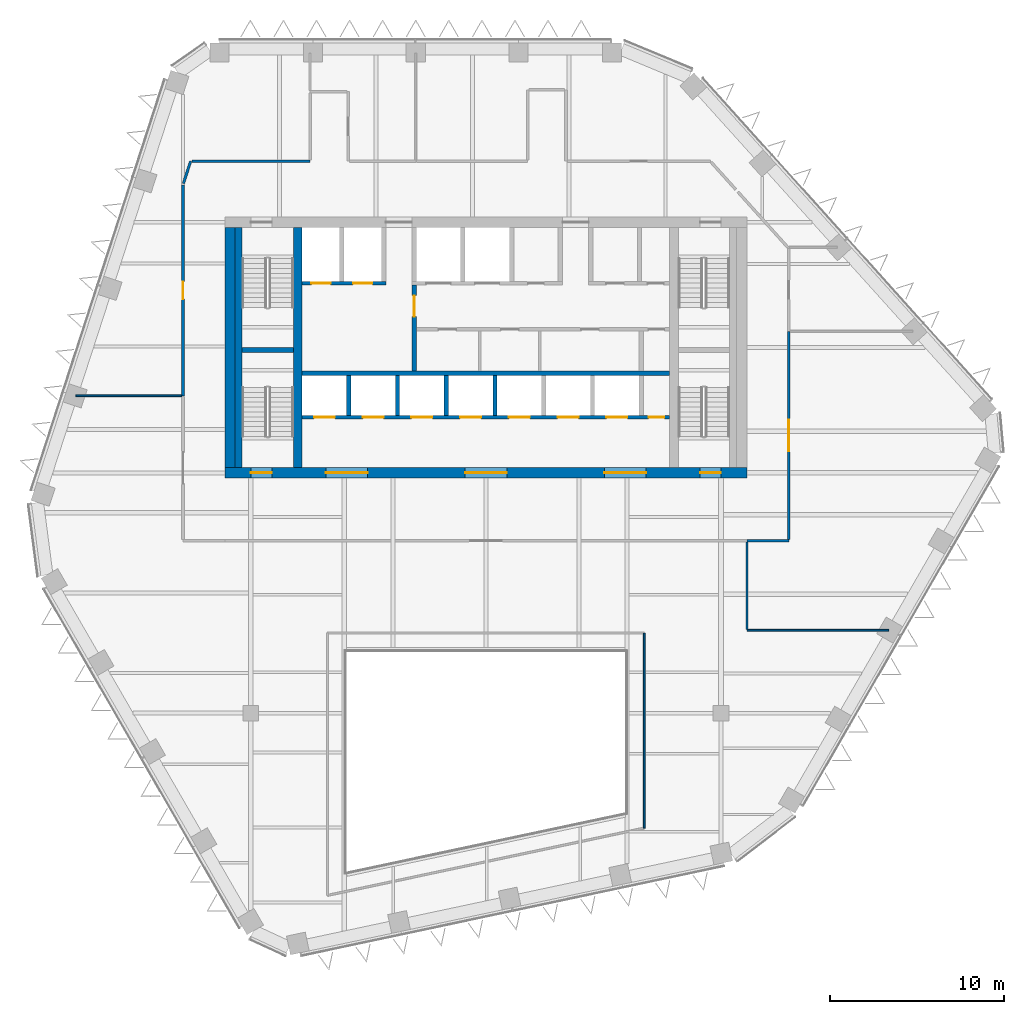
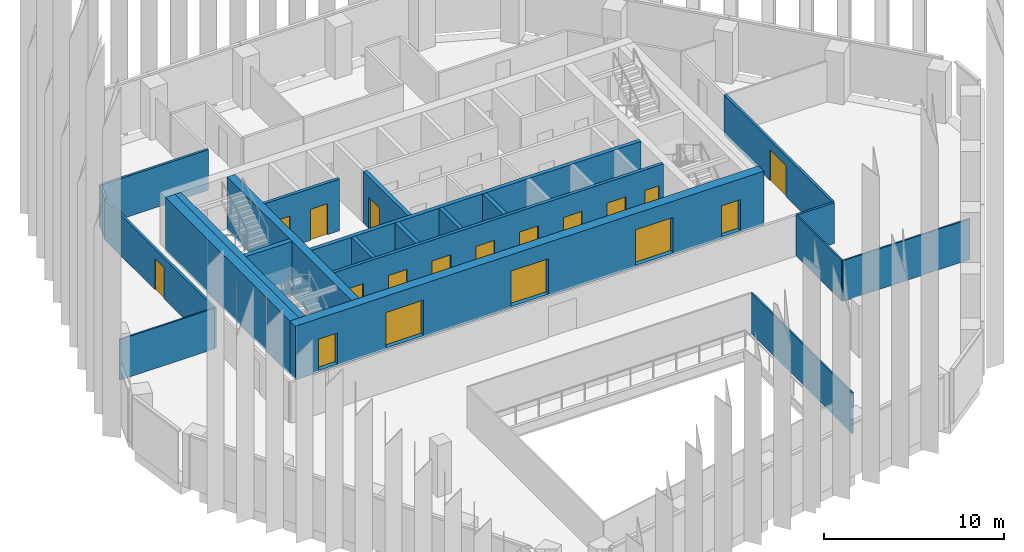
# One storey, part 9 of 18: 22 walls, 18 doors, 18 openings.
"""IFC4 building model written with IfcOpenShell, lengths in metres."""

import ifcopenshell
import ifcopenshell.guid

model = None  # the IFC model being written
_history = None  # IfcOwnerHistory: only IFC2X3 demands one
_inside = {}  # id of a spatial element -> (the spatial element, [elements in it])
_under = {}  # id of a project, library or spatial element -> (it, [spatial elements below it])
_declared = {}  # id of a project -> (the project, [libraries it declares])
_typed = {}  # id of a type object -> (the type object, [elements of that type])
_made_of = {}  # id of a material, layer set ... -> (it, [elements and type objects made of it])


def new_model(schema):
    """Start an empty IFC model of exactly this schema.

    Asked for "IFC4X3", IfcOpenShell would pick the latest addendum, in which some entities
    have other attributes; the version numbers below select the first issue.
    IFC2X3 requires an IfcOwnerHistory on every rooted entity: one is made here for all.
    """
    global model, _history
    if schema == "IFC4X3":
        model = ifcopenshell.file(schema_version=(4, 3, 0, 0))
    else:
        model = ifcopenshell.file(schema=schema)
    _inside.clear()
    _under.clear()
    _declared.clear()
    _typed.clear()
    _made_of.clear()
    _history = None
    if model.schema == "IFC2X3":
        org = make("IfcOrganization", Name="unknown")
        user = make(
            "IfcPersonAndOrganization",
            ThePerson=make("IfcPerson", FamilyName="unknown"),
            TheOrganization=org,
        )
        app = make(
            "IfcApplication",
            ApplicationDeveloper=org,
            Version="unknown",
            ApplicationFullName="unknown",
            ApplicationIdentifier="unknown",
        )
        _history = make(
            "IfcOwnerHistory",
            OwningUser=user,
            OwningApplication=app,
            ChangeAction="ADDED",
            CreationDate=0,
        )
    return model


def make(cls, **values):
    """One entity of the class cls with the attributes given. An attribute that is None is left unset."""
    return model.create_entity(
        cls, **{name: value for name, value in values.items() if value is not None}
    )


def rooted(cls, **values):
    """An entity with a GlobalId (a new one), such as an element, a storey or a relation."""
    return make(cls, GlobalId=ifcopenshell.guid.new(), OwnerHistory=_history, **values)


def si_unit(unit_type, name, prefix=None):
    """IfcSIUnit, for example si_unit("LENGTHUNIT", "METRE", prefix="MILLI")."""
    return make("IfcSIUnit", UnitType=unit_type, Prefix=prefix, Name=name)


def assignment(units):
    """IfcUnitAssignment: the units of a project."""
    return None if units is None else make("IfcUnitAssignment", Units=units)


def point(xyz):
    """IfcCartesianPoint."""
    return None if xyz is None else make("IfcCartesianPoint", Coordinates=xyz)


def direction(xyz):
    """IfcDirection."""
    return None if xyz is None else make("IfcDirection", DirectionRatios=xyz)


def frame(location, z_axis=None, x_axis=None):
    """IfcAxis2Placement3D, a coordinate frame: its origin and axes. An axis left out is left unset."""
    return make(
        "IfcAxis2Placement3D",
        Location=point(location),
        Axis=direction(z_axis),
        RefDirection=direction(x_axis),
    )


def frame_2d(location, x_axis=None):
    """IfcAxis2Placement2D, a coordinate frame in the plane: its origin and x axis."""
    return make(
        "IfcAxis2Placement2D", Location=point(location), RefDirection=direction(x_axis)
    )


def origin():
    """The frame at (0, 0, 0) with its axes left unset."""
    return frame((0.0, 0.0, 0.0))


def place(relative_to, where):
    """IfcLocalPlacement: puts the frame where relative to a parent placement (None: the world)."""
    return make(
        "IfcLocalPlacement", PlacementRelTo=relative_to, RelativePlacement=where
    )


def context(
    kind, dimensions, precision=None, world=None, true_north=None, identifier=None
):
    """IfcGeometricRepresentationContext, for example the 3D "Model" context."""
    return make(
        "IfcGeometricRepresentationContext",
        ContextIdentifier=identifier,
        ContextType=kind,
        CoordinateSpaceDimension=dimensions,
        Precision=precision,
        WorldCoordinateSystem=world,
        TrueNorth=true_north,
    )


def subcontext(parent, identifier, kind, view, scale=None):
    """IfcGeometricRepresentationSubContext, for example "Body" below "Model"."""
    return make(
        "IfcGeometricRepresentationSubContext",
        ContextIdentifier=identifier,
        ContextType=kind,
        ParentContext=parent,
        TargetScale=scale,
        TargetView=view,
    )


def project(units=None, contexts=None):
    """IfcProject with its units and contexts."""
    return rooted(
        "IfcProject",
        Name="project",
        RepresentationContexts=contexts,
        UnitsInContext=assignment(units),
    )


def spatial(cls, under=None, at=None, **own):
    """A site, building, storey or space (cls), placed at a placement, below another one or the project."""
    s = rooted(cls, ObjectPlacement=at, **own)
    if under is not None:
        _under.setdefault(under.id(), (under, []))[1].append(s)
    return s


def profile(cls, at=None, kind="AREA", **sizes):
    """A parametric profile (cls). Its sizes go by their IFC names, for example OverallWidth=200.0."""
    return make(cls, ProfileType=kind, Position=at, **sizes)


def rectangle(**sizes):
    """IfcRectangleProfileDef."""
    return profile("IfcRectangleProfileDef", **sizes)


def extrude(swept, where, along, depth):
    """IfcExtrudedAreaSolid: the profile swept, set in the frame where, extruded along a direction by depth."""
    return make(
        "IfcExtrudedAreaSolid",
        SweptArea=swept,
        Position=where,
        ExtrudedDirection=direction(along),
        Depth=depth,
    )


def shape(context_of_items, identifier, shape_type, items):
    """IfcShapeRepresentation: the items that make up one representation, for example the "Body"."""
    return make(
        "IfcShapeRepresentation",
        ContextOfItems=context_of_items,
        RepresentationIdentifier=identifier,
        RepresentationType=shape_type,
        Items=items,
    )


def material(Name=None, Category=None):
    """IfcMaterial."""
    return make("IfcMaterial", Name=Name, Category=Category)


def layer(
    of_material, thickness, ventilated=None, Name=None, Category=None, Priority=None
):
    """IfcMaterialLayer: one layer of a wall or slab, of a material (None: an air gap)."""
    return make(
        "IfcMaterialLayer",
        Material=of_material,
        LayerThickness=thickness,
        IsVentilated=ventilated,
        Name=Name,
        Category=Category,
        Priority=Priority,
    )


def layer_set(layers, Name=None):
    """IfcMaterialLayerSet."""
    return make("IfcMaterialLayerSet", MaterialLayers=layers, LayerSetName=Name)


def made_of(thing, what):
    """Note that an element or type object is made of a material, layer set ...; save() writes the relation."""
    if what is not None:
        _made_of.setdefault(what.id(), (what, []))[1].append(thing)
    return thing


def type_object(cls, material=None, **own):
    """A type object (cls), such as IfcWallType, which elements share."""
    return made_of(rooted(cls, **own), material)


def element(
    cls,
    number,
    at=None,
    inside=None,
    cuts=None,
    type_object=None,
    material=None,
    context=None,
    identifier="Body",
    shape_type=None,
    held_by="IfcProductDefinitionShape",
    body=None,
    shapes=None,
    **own,
):
    """One element of the class cls, such as IfcWall. Its Tag is "e" and its number.

    at: its placement. inside: the storey or other place that contains it. cuts: it is an
    opening in that element (IfcRelVoidsElement). A single representation is given by context,
    identifier, shape_type and body (its items); several are given by shapes. held_by: the class
    of the entity that holds the representations. save() writes the other relations.
    """
    e = rooted(cls, Tag="e%d" % number, ObjectPlacement=at, **own)
    if body is not None:
        shapes = [shape(context, identifier, shape_type, body)]
    if shapes is not None:
        e.Representation = make(held_by, Representations=shapes)
    if inside is not None:
        _inside.setdefault(inside.id(), (inside, []))[1].append(e)
    if cuts is not None:
        rooted(
            "IfcRelVoidsElement", RelatingBuildingElement=cuts, RelatedOpeningElement=e
        )
    if type_object is not None:
        _typed.setdefault(type_object.id(), (type_object, []))[1].append(e)
    return made_of(e, material)


def fill(opening, filler):
    """IfcRelFillsElement: the door or window that sits in an opening."""
    return rooted(
        "IfcRelFillsElement",
        RelatingOpeningElement=opening,
        RelatedBuildingElement=filler,
    )


def aggregate(whole, parts):
    """IfcRelAggregates: a whole, such as a stair, and the parts it consists of."""
    return rooted("IfcRelAggregates", RelatingObject=whole, RelatedObjects=parts)


def save(model, path):
    """Write the relations noted so far, then the file.

    IfcRelAggregates (storeys below a building ...), IfcRelContainedInSpatialStructure (elements
    in a storey), IfcRelDefinesByType, IfcRelAssociatesMaterial and IfcRelDeclares: one each for
    every whole, place, type object, material and project.
    """
    for whole, parts in _under.values():
        aggregate(whole, parts)
    for where, things in _inside.values():
        rooted(
            "IfcRelContainedInSpatialStructure",
            RelatedElements=things,
            RelatingStructure=where,
        )
    for kind, things in _typed.values():
        rooted("IfcRelDefinesByType", RelatedObjects=things, RelatingType=kind)
    for what, things in _made_of.values():
        rooted("IfcRelAssociatesMaterial", RelatedObjects=things, RelatingMaterial=what)
    for by, libraries in _declared.values():
        rooted("IfcRelDeclares", RelatingContext=by, RelatedDefinitions=libraries)
    model.write(path)


model = new_model("IFC4")

# Units and contexts
model_context = context("Model", 3, precision=1e-05, world=origin(), true_north=direction((0.0, 1.0)))
body_context = subcontext(model_context, "Body", "Model", "MODEL_VIEW")
ifc_project = project(units=[si_unit("LENGTHUNIT", "METRE"), si_unit("AREAUNIT", "SQUARE_METRE"), si_unit("VOLUMEUNIT", "CUBIC_METRE"), si_unit("PLANEANGLEUNIT", "RADIAN"), si_unit("MASSUNIT", "GRAM", prefix="KILO")], contexts=[model_context])

# Site, building, storey
site_placement = place(None, origin())
site = spatial("IfcSite", under=ifc_project, at=site_placement, CompositionType="ELEMENT")
building_placement = place(site_placement, origin())
building = spatial("IfcBuilding", under=site, at=building_placement, Name="Isthmus Gate Tower", CompositionType="ELEMENT")
storey_placement = place(building_placement, frame((0.0, 0.0, 238.199951171875)))
storey = spatial("IfcBuildingStorey", under=building, at=storey_placement, Name="L60", CompositionType="ELEMENT", Elevation=238.199951171875)

# Walls
ifc_material_1 = material(Name="Fire-rated laminated glass in steel frame", Category="steel")
ifc_layer_1 = layer(ifc_material_1, 0.10009765625)
ifc_layer_set_1 = layer_set([ifc_layer_1], Name="ATRIUM SCREEN GLAZED WALL 100 120 MIN")
wall_type_1 = type_object("IfcWallType", Name="ATRIUM SCREEN GLAZED WALL 100 120 MIN", PredefinedType="PARTITIONING", material=ifc_layer_set_1)
wall_1_placement = place(storey_placement, frame((9.10009765625, -8.89990234375, 0.0), z_axis=(0.0, 0.0, 1.0), x_axis=(0.0, -1.0, 0.0)))
element("IfcWall", 1, at=wall_1_placement, inside=storey, type_object=wall_type_1, Name="L60 atrium screen", PredefinedType="PARTITIONING", context=body_context, shape_type="SweptSolid", body=[
    extrude(rectangle(XDim=11.200927734375, YDim=0.10009765625, at=frame_2d((5.6005859375, 0.0))), origin(), (0.0, 0.0, 1.0), 2.750732421875),
])
ifc_material_2 = material(Name="Gypsum board on steel studs, fire-rated", Category="steel")
ifc_layer_2 = layer(ifc_material_2, 0.14990234375)
ifc_layer_set_2 = layer_set([ifc_layer_2], Name="CORRIDOR WALL 150 60 MIN")
wall_type_2 = type_object("IfcWallType", Name="CORRIDOR WALL 150 60 MIN", PredefinedType="PARTITIONING", material=ifc_layer_set_2)
wall_2_placement = place(storey_placement, frame((17.39990234375, -3.60009765625, 0.0), z_axis=(0.0, 0.0, 1.0), x_axis=(-1.0, 0.0, 0.0)))
element("IfcWall", 2, at=wall_2_placement, inside=storey, type_object=wall_type_2, Name="L60 Corridor Wall 150 60 Min", PredefinedType="PARTITIONING", context=body_context, shape_type="SweptSolid", body=[
    extrude(rectangle(XDim=2.39990234375, YDim=0.14990234375, at=frame_2d((1.199951171875, 0.0))), origin(), (0.0, 0.0, 1.0), 2.750732421875),
])

# Wall, opening, door
wall_3_placement = place(storey_placement, frame((17.39990234375, 8.427978515625, 0.0), z_axis=(0.0, 0.0, 1.0), x_axis=(0.0, -1.0, 0.0)))
wall_3 = element("IfcWall", 3, at=wall_3_placement, inside=storey, type_object=wall_type_2, Name="L60 Corridor Wall 150 60 Min", PredefinedType="PARTITIONING", context=body_context, shape_type="SweptSolid", body=[
    extrude(rectangle(XDim=11.952880859375, YDim=0.14990234375, at=frame_2d((5.9765625, 0.0))), origin(), (0.0, 0.0, 1.0), 2.750732421875),
])
opening_1_placement = place(wall_3_placement, frame((5.076416015625, 0.0, 0.0)))
opening_1 = element("IfcOpeningElement", 4, at=opening_1_placement, cuts=wall_3, Name="Opening DT-T5C-05", PredefinedType="OPENING", context=body_context, shape_type="SweptSolid", body=[
    extrude(rectangle(XDim=1.800048828125, YDim=2.10009765625, at=frame_2d((0.89990234375, 1.050048828125))), frame((0.0, 0.0849609375, 0.0), z_axis=(0.0, -1.0, 0.0), x_axis=(1.0, 0.0, 0.0)), (0.0, 0.0, 1.0), 0.169921875),
])
ifc_material_3 = material(Name="Solid core timber door leaf, fire-rated", Category="wood")
door_type_1 = type_object("IfcDoorType", Name="FIRE DOOR ROOM 1800 X 2100 60 MIN", OperationType="DOUBLE_DOOR_DOUBLE_SWING", PredefinedType="DOOR", material=ifc_material_3)
door_1_placement = place(opening_1_placement, origin())
door_1 = element("IfcDoor", 5, at=door_1_placement, inside=storey, type_object=door_type_1, Name="L60 room door", OperationType="DOUBLE_DOOR_DOUBLE_SWING", OverallHeight=2.10009765625, OverallWidth=1.800048828125, PredefinedType="DOOR", context=body_context, shape_type="SweptSolid", body=[
    extrude(rectangle(XDim=1.800048828125, YDim=2.10009765625, at=frame_2d((0.89990234375, 1.050048828125))), frame((0.0, 0.02490234375, 0.0), z_axis=(0.0, -1.0, 0.0), x_axis=(1.0, 0.0, 0.0)), (0.0, 0.0, 1.0), 0.050048828125),
])
fill(opening_1, door_1)

wall_4_placement = place(storey_placement, frame((-17.39990234375, 4.722900390625, 0.0), z_axis=(0.0, 0.0, 1.0), x_axis=(0.0, 1.0, 0.0)))
wall_4 = element("IfcWall", 6, at=wall_4_placement, inside=storey, type_object=wall_type_2, Name="L60 Corridor Wall 150 60 Min", PredefinedType="PARTITIONING", context=body_context, shape_type="SweptSolid", body=[
    extrude(rectangle(XDim=12.1220703125, YDim=0.14990234375, at=frame_2d((6.06103515625, 0.0))), origin(), (0.0, 0.0, 1.0), 2.750732421875),
])
opening_2_placement = place(wall_4_placement, frame((5.56103515625, 0.0, 0.0)))
opening_2 = element("IfcOpeningElement", 7, at=opening_2_placement, cuts=wall_4, Name="Opening DT-T5C-02", PredefinedType="OPENING", context=body_context, shape_type="SweptSolid", body=[
    extrude(rectangle(XDim=1.0, YDim=2.10009765625, at=frame_2d((0.5, 1.050048828125))), frame((0.0, 0.0849609375, 0.0), z_axis=(0.0, -1.0, 0.0), x_axis=(1.0, 0.0, 0.0)), (0.0, 0.0, 1.0), 0.169921875),
])
ifc_material_4 = material(Name="Solid core timber door leaf, fire-rated", Category="wood")
door_type_2 = type_object("IfcDoorType", Name="FIRE DOOR ROOM 1000 X 2100 60 MIN", OperationType="SINGLE_SWING_LEFT", PredefinedType="DOOR", material=ifc_material_4)
door_2_placement = place(opening_2_placement, origin())
door_2 = element("IfcDoor", 8, at=door_2_placement, inside=storey, type_object=door_type_2, Name="L60 room door", OperationType="SINGLE_SWING_RIGHT", OverallHeight=2.10009765625, OverallWidth=1.0, PredefinedType="DOOR", context=body_context, shape_type="SweptSolid", body=[
    extrude(rectangle(XDim=1.0, YDim=2.10009765625, at=frame_2d((0.5, 1.050048828125))), frame((0.0, 0.02490234375, 0.0), z_axis=(0.0, -1.0, 0.0), x_axis=(1.0, 0.0, 0.0)), (0.0, 0.0, 1.0), 0.050048828125),
])
fill(opening_2, door_2)

# Walls
wall_5_placement = place(storey_placement, frame((-17.376708984375, 16.916259765625, 0.0), z_axis=(0.0, 0.0, 1.0), x_axis=(0.308783376305, 0.951132391688, 0.0)))
element("IfcWall", 9, at=wall_5_placement, inside=storey, type_object=wall_type_2, Name="L60 Corridor Wall 150 60 Min", PredefinedType="PARTITIONING", context=body_context, shape_type="SweptSolid", body=[
    extrude(rectangle(XDim=1.349609375, YDim=0.14990234375, at=frame_2d((0.6748046875, 0.0))), origin(), (0.0, 0.0, 1.0), 2.750732421875),
])
wall_6_placement = place(storey_placement, frame((-16.885009765625, 18.199951171875, 0.0), z_axis=(0.0, 0.0, 1.0), x_axis=(1.0, 0.0, 0.0)))
element("IfcWall", 10, at=wall_6_placement, inside=storey, type_object=wall_type_2, Name="L60 Corridor Wall 150 60 Min", PredefinedType="PARTITIONING", context=body_context, shape_type="SweptSolid", body=[
    extrude(rectangle(XDim=6.784912109375, YDim=0.14990234375, at=frame_2d((3.392578125, 0.0))), origin(), (0.0, 0.0, 1.0), 2.750732421875),
])

# Wall, opening, door
ifc_material_5 = material(Name="Fire-rated blockwork masonry, 15 MPa", Category="masonry")
ifc_layer_3 = layer(ifc_material_5, 0.25)
ifc_layer_set_3 = layer_set([ifc_layer_3], Name="FIRE-FIGHTING LOBBY WALL 250 90 MIN")
wall_type_3 = type_object("IfcWallType", Name="FIRE-FIGHTING LOBBY WALL 250 90 MIN", PredefinedType="PARTITIONING", material=ifc_layer_set_3)
wall_7_placement = place(storey_placement, frame((-4.125, 6.14990234375, 0.0), z_axis=(0.0, 0.0, 1.0), x_axis=(0.0, 1.0, 0.0)))
wall_7 = element("IfcWall", 11, at=wall_7_placement, inside=storey, type_object=wall_type_3, Name="L60 FIRE-FIGHTING LOBBY WALL 250 90 MIN", PredefinedType="PARTITIONING", context=body_context, shape_type="SweptSolid", body=[
    extrude(rectangle(XDim=4.9501953125, YDim=0.25, at=frame_2d((2.47509765625, 0.0))), origin(), (0.0, 0.0, 1.0), 3.5),
])
opening_3_placement = place(wall_7_placement, frame((3.125, 0.0, 0.0)))
opening_3 = element("IfcOpeningElement", 12, at=opening_3_placement, cuts=wall_7, Name="Opening DC-A18-01", PredefinedType="OPENING", context=body_context, shape_type="SweptSolid", body=[
    extrude(rectangle(XDim=1.199951171875, YDim=2.10009765625, at=frame_2d((0.60009765625, 1.050048828125))), frame((0.0, 0.135009765625, 0.0), z_axis=(0.0, -1.0, 0.0), x_axis=(1.0, 0.0, 0.0)), (0.0, 0.0, 1.0), 0.27001953125),
])
ifc_material_6 = material(Name="Steel door leaf, fire-rated", Category="steel")
door_type_3 = type_object("IfcDoorType", Name="LOBBY FIRE DOOR 1200 X 2100 90 MIN", OperationType="DOUBLE_DOOR_SINGLE_SWING", PredefinedType="DOOR", material=ifc_material_6)
door_3_placement = place(opening_3_placement, origin())
door_3 = element("IfcDoor", 13, at=door_3_placement, inside=storey, type_object=door_type_3, Name="Fire-fighting Lobby Door", OperationType="SINGLE_SWING_LEFT", OverallHeight=2.10009765625, OverallWidth=1.199951171875, PredefinedType="DOOR", context=body_context, shape_type="SweptSolid", body=[
    extrude(rectangle(XDim=1.199951171875, YDim=2.10009765625, at=frame_2d((0.60009765625, 1.050048828125))), frame((0.0, 0.02490234375, 0.0), z_axis=(0.0, -1.0, 0.0), x_axis=(1.0, 0.0, 0.0)), (0.0, 0.0, 1.0), 0.050048828125),
])
fill(opening_3, door_3)

# Wall
ifc_material_7 = material(Name="Concrete f'c 50 MPa", Category="concrete")
ifc_layer_4 = layer(ifc_material_7, 0.5)
ifc_layer_set_4 = layer_set([ifc_layer_4], Name="RC CORE SPINE WALL 500 F'C 50")
wall_type_4 = type_object("IfcWallType", Name="RC CORE SPINE WALL 500 F'C 50", PredefinedType="SOLIDWALL", material=ifc_layer_set_4)
wall_8_placement = place(storey_placement, frame((-10.800048828125, 0.60009765625, -0.14990234375), z_axis=(0.0, 0.0, 1.0), x_axis=(0.0, 1.0, 0.0)))
element("IfcWall", 14, at=wall_8_placement, inside=storey, type_object=wall_type_4, Name="str-corewall-L60-SPW", PredefinedType="SOLIDWALL", context=body_context, shape_type="SweptSolid", body=[
    extrude(rectangle(XDim=13.7998046875, YDim=0.5, at=frame_2d((6.89990234375, 0.0))), origin(), (0.0, 0.0, 1.0), 3.64990234375),
])

# Wall, openings, doors
ifc_material_8 = material(Name="Concrete f'c 50 MPa", Category="concrete")
ifc_layer_5 = layer(ifc_material_8, 0.60009765625)
ifc_layer_set_5 = layer_set([ifc_layer_5], Name="RC CORE WALL 600 F'C 50")
wall_type_5 = type_object("IfcWallType", Name="RC CORE WALL 600 F'C 50", PredefinedType="SOLIDWALL", material=ifc_layer_set_5)
wall_9_placement = place(storey_placement, frame((-15.0, 0.300048828125, -0.14990234375), z_axis=(0.0, 0.0, 1.0), x_axis=(1.0, 0.0, 0.0)))
wall_9 = element("IfcWall", 15, at=wall_9_placement, inside=storey, type_object=wall_type_5, Name="str-corewall-L60-S", PredefinedType="SOLIDWALL", context=body_context, shape_type="SweptSolid", body=[
    extrude(rectangle(XDim=30.0, YDim=0.60009765625, at=frame_2d((15.0, 0.0))), origin(), (0.0, 0.0, 1.0), 3.64990234375),
])
opening_4_placement = place(wall_9_placement, frame((5.800048828125, 0.0, 0.14990234375)))
opening_4 = element("IfcOpeningElement", 16, at=opening_4_placement, cuts=wall_9, Name="Opening DC-A18-10", PredefinedType="OPENING", context=body_context, shape_type="SweptSolid", body=[
    extrude(rectangle(XDim=2.39990234375, YDim=2.39990234375, at=frame_2d((1.199951171875, 1.199951171875))), frame((0.0, 0.31005859375, 0.0), z_axis=(0.0, -1.0, 0.0), x_axis=(1.0, 0.0, 0.0)), (0.0, 0.0, 1.0), 0.6201171875),
])
opening_5_placement = place(wall_9_placement, frame((13.800048828125, 0.0, 0.14990234375)))
opening_5 = element("IfcOpeningElement", 17, at=opening_5_placement, cuts=wall_9, Name="Opening DC-A18-11", PredefinedType="OPENING", context=body_context, shape_type="SweptSolid", body=[
    extrude(rectangle(XDim=2.39990234375, YDim=2.39990234375, at=frame_2d((1.199951171875, 1.199951171875))), frame((0.0, 0.31005859375, 0.0), z_axis=(0.0, -1.0, 0.0), x_axis=(1.0, 0.0, 0.0)), (0.0, 0.0, 1.0), 0.6201171875),
])
opening_6_placement = place(wall_9_placement, frame((21.800048828125, 0.0, 0.14990234375)))
opening_6 = element("IfcOpeningElement", 18, at=opening_6_placement, cuts=wall_9, Name="Opening DC-A18-12", PredefinedType="OPENING", context=body_context, shape_type="SweptSolid", body=[
    extrude(rectangle(XDim=2.39990234375, YDim=2.39990234375, at=frame_2d((1.199951171875, 1.199951171875))), frame((0.0, 0.31005859375, 0.0), z_axis=(0.0, -1.0, 0.0), x_axis=(1.0, 0.0, 0.0)), (0.0, 0.0, 1.0), 0.6201171875),
])
opening_7_placement = place(wall_9_placement, frame((1.5, 0.0, 0.14990234375)))
opening_7 = element("IfcOpeningElement", 19, at=opening_7_placement, cuts=wall_9, Name="Opening DC-A18-17", PredefinedType="OPENING", context=body_context, shape_type="SweptSolid", body=[
    extrude(rectangle(XDim=1.199951171875, YDim=2.10009765625, at=frame_2d((0.60009765625, 1.050048828125))), frame((0.0, 0.31005859375, 0.0), z_axis=(0.0, -1.0, 0.0), x_axis=(1.0, 0.0, 0.0)), (0.0, 0.0, 1.0), 0.6201171875),
])
opening_8_placement = place(wall_9_placement, frame((27.300048828125, 0.0, 0.14990234375)))
opening_8 = element("IfcOpeningElement", 20, at=opening_8_placement, cuts=wall_9, Name="Opening DC-A18-18", PredefinedType="OPENING", context=body_context, shape_type="SweptSolid", body=[
    extrude(rectangle(XDim=1.199951171875, YDim=2.10009765625, at=frame_2d((0.60009765625, 1.050048828125))), frame((0.0, 0.31005859375, 0.0), z_axis=(0.0, -1.0, 0.0), x_axis=(1.0, 0.0, 0.0)), (0.0, 0.0, 1.0), 0.6201171875),
])
ifc_material_9 = material(Name="Laminated safety glass in steel frame, fire-rated", Category="steel")
door_type_4 = type_object("IfcDoorType", Name="LOBBY ENTRANCE FIRE DOOR 2400 X 2400 60 MIN", OperationType="DOUBLE_DOOR_DOUBLE_SWING", PredefinedType="DOOR", material=ifc_material_9)
door_4_placement = place(opening_4_placement, origin())
door_4 = element("IfcDoor", 21, at=door_4_placement, inside=storey, type_object=door_type_4, Name="Lobby Entrance PS-W", OperationType="DOUBLE_DOOR_DOUBLE_SWING", OverallHeight=2.39990234375, OverallWidth=2.39990234375, PredefinedType="DOOR", context=body_context, shape_type="SweptSolid", body=[
    extrude(rectangle(XDim=2.39990234375, YDim=2.39990234375, at=frame_2d((1.199951171875, 1.199951171875))), frame((0.0, 0.02490234375, 0.0), z_axis=(0.0, -1.0, 0.0), x_axis=(1.0, 0.0, 0.0)), (0.0, 0.0, 1.0), 0.050048828125),
])
fill(opening_4, door_4)
door_5_placement = place(opening_5_placement, origin())
door_5 = element("IfcDoor", 22, at=door_5_placement, inside=storey, type_object=door_type_4, Name="Lobby Entrance PS-C", OperationType="DOUBLE_DOOR_DOUBLE_SWING", OverallHeight=2.39990234375, OverallWidth=2.39990234375, PredefinedType="DOOR", context=body_context, shape_type="SweptSolid", body=[
    extrude(rectangle(XDim=2.39990234375, YDim=2.39990234375, at=frame_2d((1.199951171875, 1.199951171875))), frame((0.0, 0.02490234375, 0.0), z_axis=(0.0, -1.0, 0.0), x_axis=(1.0, 0.0, 0.0)), (0.0, 0.0, 1.0), 0.050048828125),
])
fill(opening_5, door_5)
door_6_placement = place(opening_6_placement, origin())
door_6 = element("IfcDoor", 23, at=door_6_placement, inside=storey, type_object=door_type_4, Name="Lobby Entrance PS-E", OperationType="DOUBLE_DOOR_DOUBLE_SWING", OverallHeight=2.39990234375, OverallWidth=2.39990234375, PredefinedType="DOOR", context=body_context, shape_type="SweptSolid", body=[
    extrude(rectangle(XDim=2.39990234375, YDim=2.39990234375, at=frame_2d((1.199951171875, 1.199951171875))), frame((0.0, 0.02490234375, 0.0), z_axis=(0.0, -1.0, 0.0), x_axis=(1.0, 0.0, 0.0)), (0.0, 0.0, 1.0), 0.050048828125),
])
fill(opening_6, door_6)
ifc_material_10 = material(Name="Steel door leaf, fire-rated", Category="steel")
door_type_5 = type_object("IfcDoorType", Name="STAIR FIRE DOOR 1200 X 2100 90 MIN", OperationType="SINGLE_SWING_LEFT", PredefinedType="DOOR", material=ifc_material_10)
door_7_placement = place(opening_7_placement, origin())
door_7 = element("IfcDoor", 24, at=door_7_placement, inside=storey, type_object=door_type_5, Name="Exit Stair 7 Door", OperationType="SINGLE_SWING_LEFT", OverallHeight=2.10009765625, OverallWidth=1.199951171875, PredefinedType="DOOR", context=body_context, shape_type="SweptSolid", body=[
    extrude(rectangle(XDim=1.199951171875, YDim=2.10009765625, at=frame_2d((0.60009765625, 1.050048828125))), frame((0.0, 0.02490234375, 0.0), z_axis=(0.0, -1.0, 0.0), x_axis=(1.0, 0.0, 0.0)), (0.0, 0.0, 1.0), 0.050048828125),
])
fill(opening_7, door_7)
door_8_placement = place(opening_8_placement, origin())
door_8 = element("IfcDoor", 25, at=door_8_placement, inside=storey, type_object=door_type_5, Name="Exit Stair 8 Door", OperationType="SINGLE_SWING_RIGHT", OverallHeight=2.10009765625, OverallWidth=1.199951171875, PredefinedType="DOOR", context=body_context, shape_type="SweptSolid", body=[
    extrude(rectangle(XDim=1.199951171875, YDim=2.10009765625, at=frame_2d((0.60009765625, 1.050048828125))), frame((0.0, 0.02490234375, 0.0), z_axis=(0.0, -1.0, 0.0), x_axis=(1.0, 0.0, 0.0)), (0.0, 0.0, 1.0), 0.050048828125),
])
fill(opening_8, door_8)

# Walls
wall_10_placement = place(storey_placement, frame((-14.699951171875, 0.60009765625, -0.14990234375), z_axis=(0.0, 0.0, 1.0), x_axis=(0.0, 1.0, 0.0)))
element("IfcWall", 26, at=wall_10_placement, inside=storey, type_object=wall_type_5, Name="str-corewall-L60-W", PredefinedType="SOLIDWALL", context=body_context, shape_type="SweptSolid", body=[
    extrude(rectangle(XDim=13.7998046875, YDim=0.60009765625, at=frame_2d((6.89990234375, 0.0))), origin(), (0.0, 0.0, 1.0), 3.64990234375),
])
ifc_material_11 = material(Name="Gypsum board on steel studs, fire-rated", Category="steel")
ifc_layer_6 = layer(ifc_material_11, 0.10009765625)
ifc_layer_set_6 = layer_set([ifc_layer_6], Name="ROOM PARTITION 100 30 MIN")
wall_type_6 = type_object("IfcWallType", Name="ROOM PARTITION 100 30 MIN", PredefinedType="PARTITIONING", material=ifc_layer_set_6)
wall_11_placement = place(storey_placement, frame((-23.547119140625, 4.722900390625, 0.0), z_axis=(0.0, 0.0, 1.0), x_axis=(1.0, 0.0, 0.0)))
element("IfcWall", 27, at=wall_11_placement, inside=storey, type_object=wall_type_6, Name="L60 Room Partition 100 30 Min", PredefinedType="PARTITIONING", context=body_context, shape_type="SweptSolid", body=[
    extrude(rectangle(XDim=6.072021484375, YDim=0.10009765625, at=frame_2d((3.0361328125, 0.0))), origin(), (0.0, 0.0, 1.0), 2.750732421875),
])
wall_12_placement = place(storey_placement, frame((15.0, -8.735107421875, 0.0), z_axis=(0.0, 0.0, 1.0), x_axis=(1.0, 0.0, 0.0)))
element("IfcWall", 28, at=wall_12_placement, inside=storey, type_object=wall_type_6, Name="L60 Room Partition 100 30 Min", PredefinedType="PARTITIONING", context=body_context, shape_type="SweptSolid", body=[
    extrude(rectangle(XDim=8.132080078125, YDim=0.10009765625, at=frame_2d((4.06591796875, 0.0))), origin(), (0.0, 0.0, 1.0), 2.750732421875),
])
wall_13_placement = place(storey_placement, frame((15.0, -8.68505859375, 0.0), z_axis=(0.0, 0.0, 1.0), x_axis=(0.0, 1.0, 0.0)))
element("IfcWall", 29, at=wall_13_placement, inside=storey, type_object=wall_type_6, Name="L60 Room Partition 100 30 Min", PredefinedType="PARTITIONING", context=body_context, shape_type="SweptSolid", body=[
    extrude(rectangle(XDim=5.010009765625, YDim=0.10009765625, at=frame_2d((2.5048828125, 0.0))), origin(), (0.0, 0.0, 1.0), 2.750732421875),
])

# Wall, openings, doors
ifc_material_12 = material(Name="Fire-rated blockwork masonry, 15 MPa", Category="masonry")
ifc_layer_7 = layer(ifc_material_12, 0.199951171875)
ifc_layer_set_7 = layer_set([ifc_layer_7], Name="SHAFT FRONT WALL 200 120 MIN")
wall_type_7 = type_object("IfcWallType", Name="SHAFT FRONT WALL 200 120 MIN", PredefinedType="PARTITIONING", material=ifc_layer_set_7)
wall_14_placement = place(storey_placement, frame((-10.550048828125, 3.5, 0.0), z_axis=(0.0, 0.0, 1.0), x_axis=(1.0, 0.0, 0.0)))
wall_14 = element("IfcWall", 30, at=wall_14_placement, inside=storey, type_object=wall_type_7, Name="L60 SHAFT FRONT WALL 200 120 MIN", PredefinedType="PARTITIONING", context=body_context, shape_type="SweptSolid", body=[
    extrude(rectangle(XDim=21.10009765625, YDim=0.199951171875, at=frame_2d((10.550048828125, 0.0))), origin(), (0.0, 0.0, 1.0), 3.5),
])
opening_9_placement = place(wall_14_placement, frame((0.675048828125, 0.0, 0.0)))
opening_9 = element("IfcOpeningElement", 31, at=opening_9_placement, cuts=wall_14, Name="Opening LD-LC1", PredefinedType="OPENING", context=body_context, shape_type="SweptSolid", body=[
    extrude(rectangle(XDim=1.199951171875, YDim=2.10009765625, at=frame_2d((0.60009765625, 1.050048828125))), frame((0.0, 0.10986328125, 0.0), z_axis=(0.0, -1.0, 0.0), x_axis=(1.0, 0.0, 0.0)), (0.0, 0.0, 1.0), 0.219970703125),
])
opening_10_placement = place(wall_14_placement, frame((3.47509765625, 0.0, 0.0)))
opening_10 = element("IfcOpeningElement", 32, at=opening_10_placement, cuts=wall_14, Name="Opening LD-LC2", PredefinedType="OPENING", context=body_context, shape_type="SweptSolid", body=[
    extrude(rectangle(XDim=1.199951171875, YDim=2.10009765625, at=frame_2d((0.60009765625, 1.050048828125))), frame((0.0, 0.10986328125, 0.0), z_axis=(0.0, -1.0, 0.0), x_axis=(1.0, 0.0, 0.0)), (0.0, 0.0, 1.0), 0.219970703125),
])
opening_11_placement = place(wall_14_placement, frame((6.27490234375, 0.0, 0.0)))
opening_11 = element("IfcOpeningElement", 33, at=opening_11_placement, cuts=wall_14, Name="Opening LD-LC3", PredefinedType="OPENING", context=body_context, shape_type="SweptSolid", body=[
    extrude(rectangle(XDim=1.199951171875, YDim=2.10009765625, at=frame_2d((0.60009765625, 1.050048828125))), frame((0.0, 0.10986328125, 0.0), z_axis=(0.0, -1.0, 0.0), x_axis=(1.0, 0.0, 0.0)), (0.0, 0.0, 1.0), 0.219970703125),
])
opening_12_placement = place(wall_14_placement, frame((9.074951171875, 0.0, 0.0)))
opening_12 = element("IfcOpeningElement", 34, at=opening_12_placement, cuts=wall_14, Name="Opening LD-LC4", PredefinedType="OPENING", context=body_context, shape_type="SweptSolid", body=[
    extrude(rectangle(XDim=1.199951171875, YDim=2.10009765625, at=frame_2d((0.60009765625, 1.050048828125))), frame((0.0, 0.10986328125, 0.0), z_axis=(0.0, -1.0, 0.0), x_axis=(1.0, 0.0, 0.0)), (0.0, 0.0, 1.0), 0.219970703125),
])
opening_13_placement = place(wall_14_placement, frame((11.875, 0.0, 0.0)))
opening_13 = element("IfcOpeningElement", 35, at=opening_13_placement, cuts=wall_14, Name="Opening LD-LC5", PredefinedType="OPENING", context=body_context, shape_type="SweptSolid", body=[
    extrude(rectangle(XDim=1.199951171875, YDim=2.10009765625, at=frame_2d((0.60009765625, 1.050048828125))), frame((0.0, 0.10986328125, 0.0), z_axis=(0.0, -1.0, 0.0), x_axis=(1.0, 0.0, 0.0)), (0.0, 0.0, 1.0), 0.219970703125),
])
opening_14_placement = place(wall_14_placement, frame((14.675048828125, 0.0, 0.0)))
opening_14 = element("IfcOpeningElement", 36, at=opening_14_placement, cuts=wall_14, Name="Opening LD-LC6", PredefinedType="OPENING", context=body_context, shape_type="SweptSolid", body=[
    extrude(rectangle(XDim=1.199951171875, YDim=2.10009765625, at=frame_2d((0.60009765625, 1.050048828125))), frame((0.0, 0.10986328125, 0.0), z_axis=(0.0, -1.0, 0.0), x_axis=(1.0, 0.0, 0.0)), (0.0, 0.0, 1.0), 0.219970703125),
])
opening_15_placement = place(wall_14_placement, frame((17.47509765625, 0.0, 0.0)))
opening_15 = element("IfcOpeningElement", 37, at=opening_15_placement, cuts=wall_14, Name="Opening LD-LC7", PredefinedType="OPENING", context=body_context, shape_type="SweptSolid", body=[
    extrude(rectangle(XDim=1.199951171875, YDim=2.10009765625, at=frame_2d((0.60009765625, 1.050048828125))), frame((0.0, 0.10986328125, 0.0), z_axis=(0.0, -1.0, 0.0), x_axis=(1.0, 0.0, 0.0)), (0.0, 0.0, 1.0), 0.219970703125),
])
opening_16_placement = place(wall_14_placement, frame((19.89990234375, 0.0, 0.0)))
opening_16 = element("IfcOpeningElement", 38, at=opening_16_placement, cuts=wall_14, Name="Opening DC-A18-02", PredefinedType="OPENING", context=body_context, shape_type="SweptSolid", body=[
    extrude(rectangle(XDim=0.89990234375, YDim=2.10009765625, at=frame_2d((0.449951171875, 1.050048828125))), frame((0.0, 0.10986328125, 0.0), z_axis=(0.0, -1.0, 0.0), x_axis=(1.0, 0.0, 0.0)), (0.0, 0.0, 1.0), 0.219970703125),
])
ifc_material_13 = material(Name="Stainless steel sliding leaf", Category="steel")
door_type_6 = type_object("IfcDoorType", Name="LIFT LANDING FIRE DOOR 1200 X 2100 90 MIN", OperationType="DOUBLE_DOOR_SLIDING", PredefinedType="DOOR", material=ifc_material_13)
door_9_placement = place(opening_9_placement, origin())
door_9 = element("IfcDoor", 39, at=door_9_placement, inside=storey, type_object=door_type_6, Name="Lift Landing Door LC1", OperationType="DOUBLE_DOOR_SLIDING", OverallHeight=2.10009765625, OverallWidth=1.199951171875, PredefinedType="DOOR", context=body_context, shape_type="SweptSolid", body=[
    extrude(rectangle(XDim=1.199951171875, YDim=2.10009765625, at=frame_2d((0.60009765625, 1.050048828125))), frame((0.0, 0.02490234375, 0.0), z_axis=(0.0, -1.0, 0.0), x_axis=(1.0, 0.0, 0.0)), (0.0, 0.0, 1.0), 0.050048828125),
])
fill(opening_9, door_9)
door_10_placement = place(opening_10_placement, origin())
door_10 = element("IfcDoor", 40, at=door_10_placement, inside=storey, type_object=door_type_6, Name="Lift Landing Door LC2", OperationType="DOUBLE_DOOR_SLIDING", OverallHeight=2.10009765625, OverallWidth=1.199951171875, PredefinedType="DOOR", context=body_context, shape_type="SweptSolid", body=[
    extrude(rectangle(XDim=1.199951171875, YDim=2.10009765625, at=frame_2d((0.60009765625, 1.050048828125))), frame((0.0, 0.02490234375, 0.0), z_axis=(0.0, -1.0, 0.0), x_axis=(1.0, 0.0, 0.0)), (0.0, 0.0, 1.0), 0.050048828125),
])
fill(opening_10, door_10)
door_11_placement = place(opening_11_placement, origin())
door_11 = element("IfcDoor", 41, at=door_11_placement, inside=storey, type_object=door_type_6, Name="Lift Landing Door LC3", OperationType="DOUBLE_DOOR_SLIDING", OverallHeight=2.10009765625, OverallWidth=1.199951171875, PredefinedType="DOOR", context=body_context, shape_type="SweptSolid", body=[
    extrude(rectangle(XDim=1.199951171875, YDim=2.10009765625, at=frame_2d((0.60009765625, 1.050048828125))), frame((0.0, 0.02490234375, 0.0), z_axis=(0.0, -1.0, 0.0), x_axis=(1.0, 0.0, 0.0)), (0.0, 0.0, 1.0), 0.050048828125),
])
fill(opening_11, door_11)
door_12_placement = place(opening_12_placement, origin())
door_12 = element("IfcDoor", 42, at=door_12_placement, inside=storey, type_object=door_type_6, Name="Lift Landing Door LC4", OperationType="DOUBLE_DOOR_SLIDING", OverallHeight=2.10009765625, OverallWidth=1.199951171875, PredefinedType="DOOR", context=body_context, shape_type="SweptSolid", body=[
    extrude(rectangle(XDim=1.199951171875, YDim=2.10009765625, at=frame_2d((0.60009765625, 1.050048828125))), frame((0.0, 0.02490234375, 0.0), z_axis=(0.0, -1.0, 0.0), x_axis=(1.0, 0.0, 0.0)), (0.0, 0.0, 1.0), 0.050048828125),
])
fill(opening_12, door_12)
door_13_placement = place(opening_13_placement, origin())
door_13 = element("IfcDoor", 43, at=door_13_placement, inside=storey, type_object=door_type_6, Name="Lift Landing Door LC5", OperationType="DOUBLE_DOOR_SLIDING", OverallHeight=2.10009765625, OverallWidth=1.199951171875, PredefinedType="DOOR", context=body_context, shape_type="SweptSolid", body=[
    extrude(rectangle(XDim=1.199951171875, YDim=2.10009765625, at=frame_2d((0.60009765625, 1.050048828125))), frame((0.0, 0.02490234375, 0.0), z_axis=(0.0, -1.0, 0.0), x_axis=(1.0, 0.0, 0.0)), (0.0, 0.0, 1.0), 0.050048828125),
])
fill(opening_13, door_13)
door_14_placement = place(opening_14_placement, origin())
door_14 = element("IfcDoor", 44, at=door_14_placement, inside=storey, type_object=door_type_6, Name="Lift Landing Door LC6", OperationType="DOUBLE_DOOR_SLIDING", OverallHeight=2.10009765625, OverallWidth=1.199951171875, PredefinedType="DOOR", context=body_context, shape_type="SweptSolid", body=[
    extrude(rectangle(XDim=1.199951171875, YDim=2.10009765625, at=frame_2d((0.60009765625, 1.050048828125))), frame((0.0, 0.02490234375, 0.0), z_axis=(0.0, -1.0, 0.0), x_axis=(1.0, 0.0, 0.0)), (0.0, 0.0, 1.0), 0.050048828125),
])
fill(opening_14, door_14)
door_15_placement = place(opening_15_placement, origin())
door_15 = element("IfcDoor", 45, at=door_15_placement, inside=storey, type_object=door_type_6, Name="Lift Landing Door LC7", OperationType="DOUBLE_DOOR_SLIDING", OverallHeight=2.10009765625, OverallWidth=1.199951171875, PredefinedType="DOOR", context=body_context, shape_type="SweptSolid", body=[
    extrude(rectangle(XDim=1.199951171875, YDim=2.10009765625, at=frame_2d((0.60009765625, 1.050048828125))), frame((0.0, 0.02490234375, 0.0), z_axis=(0.0, -1.0, 0.0), x_axis=(1.0, 0.0, 0.0)), (0.0, 0.0, 1.0), 0.050048828125),
])
fill(opening_15, door_15)
ifc_material_14 = material(Name="Steel door leaf, fire-rated", Category="steel")
door_type_7 = type_object("IfcDoorType", Name="RISER FIRE DOOR 900 X 2100 90 MIN", OperationType="SINGLE_SWING_LEFT", PredefinedType="DOOR", material=ifc_material_14)
door_16_placement = place(opening_16_placement, origin())
door_16 = element("IfcDoor", 46, at=door_16_placement, inside=storey, type_object=door_type_7, Name="Riser Door", OperationType="SINGLE_SWING_RIGHT", OverallHeight=2.10009765625, OverallWidth=0.89990234375, PredefinedType="DOOR", context=body_context, shape_type="SweptSolid", body=[
    extrude(rectangle(XDim=0.89990234375, YDim=2.10009765625, at=frame_2d((0.449951171875, 1.050048828125))), frame((0.0, 0.02490234375, 0.0), z_axis=(0.0, -1.0, 0.0), x_axis=(1.0, 0.0, 0.0)), (0.0, 0.0, 1.0), 0.050048828125),
])
fill(opening_16, door_16)

wall_15_placement = place(storey_placement, frame((-10.550048828125, 11.199951171875, 0.0), z_axis=(0.0, 0.0, 1.0), x_axis=(1.0, 0.0, 0.0)))
wall_15 = element("IfcWall", 47, at=wall_15_placement, inside=storey, type_object=wall_type_7, Name="L60 SHAFT FRONT WALL 200 120 MIN", PredefinedType="PARTITIONING", context=body_context, shape_type="SweptSolid", body=[
    extrude(rectangle(XDim=4.800048828125, YDim=0.199951171875, at=frame_2d((2.39990234375, 0.0))), origin(), (0.0, 0.0, 1.0), 3.5),
])
opening_17_placement = place(wall_15_placement, frame((0.52490234375, 0.0, 0.0)))
opening_17 = element("IfcOpeningElement", 48, at=opening_17_placement, cuts=wall_15, Name="Opening LD-LF1", PredefinedType="OPENING", context=body_context, shape_type="SweptSolid", body=[
    extrude(rectangle(XDim=1.10009765625, YDim=2.10009765625, at=frame_2d((0.550048828125, 1.050048828125))), frame((0.0, 0.10986328125, 0.0), z_axis=(0.0, -1.0, 0.0), x_axis=(1.0, 0.0, 0.0)), (0.0, 0.0, 1.0), 0.219970703125),
])
opening_18_placement = place(wall_15_placement, frame((2.925048828125, 0.0, 0.0)))
opening_18 = element("IfcOpeningElement", 49, at=opening_18_placement, cuts=wall_15, Name="Opening LD-LF2", PredefinedType="OPENING", context=body_context, shape_type="SweptSolid", body=[
    extrude(rectangle(XDim=1.10009765625, YDim=2.10009765625, at=frame_2d((0.550048828125, 1.050048828125))), frame((0.0, 0.10986328125, 0.0), z_axis=(0.0, -1.0, 0.0), x_axis=(1.0, 0.0, 0.0)), (0.0, 0.0, 1.0), 0.219970703125),
])
ifc_material_15 = material(Name="Stainless steel sliding leaf", Category="steel")
door_type_8 = type_object("IfcDoorType", Name="LIFT LANDING FIRE DOOR 1100 X 2100 90 MIN", OperationType="DOUBLE_DOOR_SLIDING", PredefinedType="DOOR", material=ifc_material_15)
door_17_placement = place(opening_17_placement, origin())
door_17 = element("IfcDoor", 50, at=door_17_placement, inside=storey, type_object=door_type_8, Name="Lift Landing Door LF1", OperationType="DOUBLE_DOOR_SLIDING", OverallHeight=2.10009765625, OverallWidth=1.10009765625, PredefinedType="DOOR", context=body_context, shape_type="SweptSolid", body=[
    extrude(rectangle(XDim=1.10009765625, YDim=2.10009765625, at=frame_2d((0.550048828125, 1.050048828125))), frame((0.0, 0.02490234375, 0.0), z_axis=(0.0, -1.0, 0.0), x_axis=(1.0, 0.0, 0.0)), (0.0, 0.0, 1.0), 0.050048828125),
])
fill(opening_17, door_17)
door_18_placement = place(opening_18_placement, origin())
door_18 = element("IfcDoor", 51, at=door_18_placement, inside=storey, type_object=door_type_8, Name="Lift Landing Door LF2", OperationType="DOUBLE_DOOR_SLIDING", OverallHeight=2.10009765625, OverallWidth=1.10009765625, PredefinedType="DOOR", context=body_context, shape_type="SweptSolid", body=[
    extrude(rectangle(XDim=1.10009765625, YDim=2.10009765625, at=frame_2d((0.550048828125, 1.050048828125))), frame((0.0, 0.02490234375, 0.0), z_axis=(0.0, -1.0, 0.0), x_axis=(1.0, 0.0, 0.0)), (0.0, 0.0, 1.0), 0.050048828125),
])
fill(opening_18, door_18)

# Walls
ifc_material_16 = material(Name="Fire-rated blockwork masonry, 15 MPa", Category="masonry")
ifc_layer_8 = layer(ifc_material_16, 0.25)
ifc_layer_set_8 = layer_set([ifc_layer_8], Name="SHAFT WALL 250 120 MIN")
wall_type_8 = type_object("IfcWallType", Name="SHAFT WALL 250 120 MIN", PredefinedType="PARTITIONING", material=ifc_layer_set_8)
wall_16_placement = place(storey_placement, frame((-10.550048828125, 6.02490234375, 0.0), z_axis=(0.0, 0.0, 1.0), x_axis=(1.0, 0.0, 0.0)))
element("IfcWall", 52, at=wall_16_placement, inside=storey, type_object=wall_type_8, Name="L60 SHAFT WALL 250 120 MIN", PredefinedType="PARTITIONING", context=body_context, shape_type="SweptSolid", body=[
    extrude(rectangle(XDim=21.10009765625, YDim=0.25, at=frame_2d((10.550048828125, 0.0))), origin(), (0.0, 0.0, 1.0), 3.5),
])
for number, where, z_axis, x_axis, name in (
    (53, (-7.875, 3.60009765625, 0.0), (0.0, 0.0, 1.0), (0.0, 1.0, 0.0), "L60 SHAFT WALL 250 120 MIN"),
    (54, (-5.074951171875, 3.60009765625, 0.0), (0.0, 0.0, 1.0), (0.0, 1.0, 0.0), "L60 SHAFT WALL 250 120 MIN"),
    (55, (-2.27490234375, 3.60009765625, 0.0), (0.0, 0.0, 1.0), (0.0, 1.0, 0.0), "L60 SHAFT WALL 250 120 MIN"),
    (56, (0.52490234375, 3.60009765625, 0.0), (0.0, 0.0, 1.0), (0.0, 1.0, 0.0), "L60 SHAFT WALL 250 120 MIN"),
):
    element("IfcWall", number, at=place(storey_placement, frame(where, z_axis=z_axis, x_axis=x_axis)), inside=storey, type_object=wall_type_8, Name=name, PredefinedType="PARTITIONING", context=body_context, shape_type="SweptSolid", body=[
        extrude(rectangle(XDim=2.2998046875, YDim=0.25, at=frame_2d((1.14990234375, 0.0))), origin(), (0.0, 0.0, 1.0), 3.5),
    ])
ifc_material_17 = material(Name="Concrete f'c 40 MPa", Category="concrete")
ifc_layer_9 = layer(ifc_material_17, 0.300048828125)
ifc_layer_set_9 = layer_set([ifc_layer_9], Name="STAIR ENCLOSURE WALL 300 180 MIN")
wall_type_9 = type_object("IfcWallType", Name="STAIR ENCLOSURE WALL 300 180 MIN", PredefinedType="SOLIDWALL", material=ifc_layer_set_9)
wall_17_placement = place(storey_placement, frame((-14.0, 7.35009765625, 0.0), z_axis=(0.0, 0.0, 1.0), x_axis=(1.0, 0.0, 0.0)))
element("IfcWall", 57, at=wall_17_placement, inside=storey, type_object=wall_type_9, Name="L60 STAIR ENCLOSURE WALL 300 180 MIN", PredefinedType="SOLIDWALL", context=body_context, shape_type="SweptSolid", body=[
    extrude(rectangle(XDim=2.949951171875, YDim=0.300048828125, at=frame_2d((1.47509765625, 0.0))), origin(), (0.0, 0.0, 1.0), 3.5),
])
ifc_material_18 = material(Name="Concrete f'c 40 MPa", Category="concrete")
ifc_layer_10 = layer(ifc_material_18, 0.39990234375)
ifc_layer_set_10 = layer_set([ifc_layer_10], Name="STAIR ENCLOSURE WALL 400 180 MIN")
wall_type_10 = type_object("IfcWallType", Name="STAIR ENCLOSURE WALL 400 180 MIN", PredefinedType="SOLIDWALL", material=ifc_layer_set_10)
wall_18_placement = place(storey_placement, frame((-14.199951171875, 0.60009765625, 0.0), z_axis=(0.0, 0.0, 1.0), x_axis=(0.0, 1.0, 0.0)))
element("IfcWall", 58, at=wall_18_placement, inside=storey, type_object=wall_type_10, Name="L60 STAIR ENCLOSURE WALL 400 180 MIN", PredefinedType="SOLIDWALL", context=body_context, shape_type="SweptSolid", body=[
    extrude(rectangle(XDim=13.7998046875, YDim=0.39990234375, at=frame_2d((6.89990234375, 0.0))), origin(), (0.0, 0.0, 1.0), 3.5),
])

save(model, "model.ifc")
